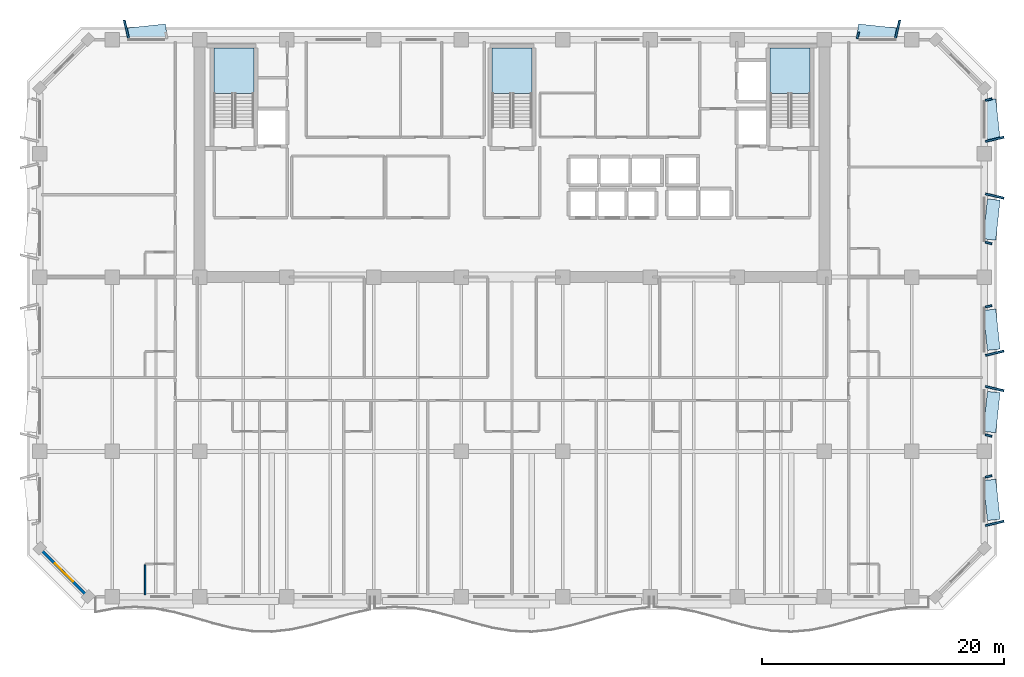
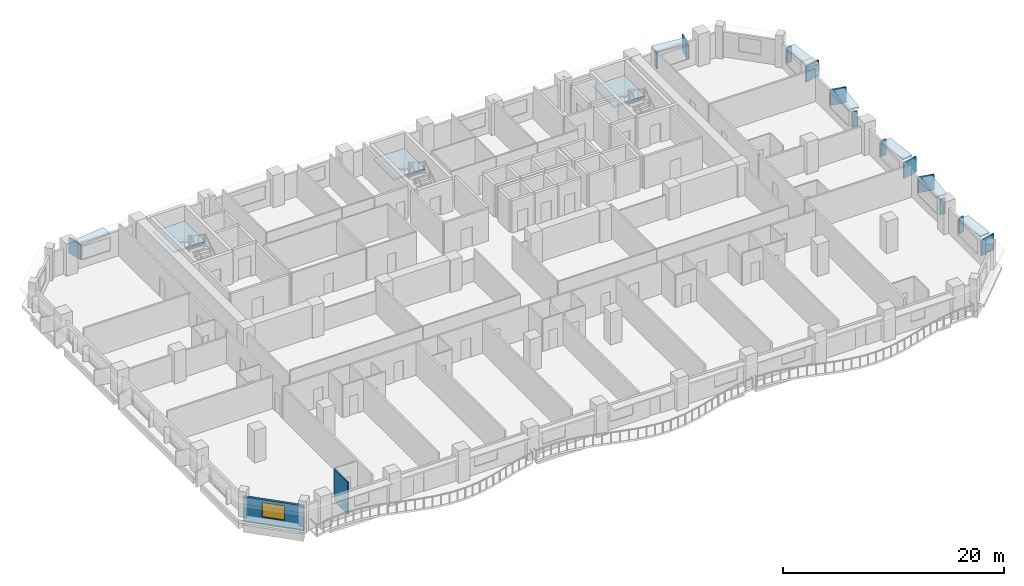
# One storey, part 3 of 14: 20 plates, 3 slabs, 2 walls, 1 window, 1 opening, 3 elements without a shape of their own.
"""IFC4 building model written with IfcOpenShell, lengths in metres."""

from ifc_helpers import new_model, si_unit, direction, frame, frame_2d, origin, origin_2d, place, context, subcontext, project, spatial, polyline, rectangle, outline, extrude, material, layer, layer_set, type_object, element, fill, aggregate, save


model = new_model("IFC4")

# Units and contexts
model_context = context("Model", 3, precision=1e-05, world=origin(), true_north=direction((0.0, 1.0)))
body_context = subcontext(model_context, "Body", "Model", "MODEL_VIEW")
ifc_project = project(units=[si_unit("LENGTHUNIT", "METRE"), si_unit("AREAUNIT", "SQUARE_METRE"), si_unit("VOLUMEUNIT", "CUBIC_METRE"), si_unit("PLANEANGLEUNIT", "RADIAN"), si_unit("MASSUNIT", "GRAM", prefix="KILO")], contexts=[model_context])

# Site, building, storey
site_placement = place(None, origin())
site = spatial("IfcSite", under=ifc_project, at=site_placement, CompositionType="ELEMENT")
building_placement = place(site_placement, origin())
building = spatial("IfcBuilding", under=site, at=building_placement, Name="Kaelvorn Grand Hotel", CompositionType="ELEMENT")
storey_placement = place(building_placement, frame((0.0, 0.0, 169.550048828125)))
storey = spatial("IfcBuildingStorey", under=building, at=storey_placement, Name="L41", CompositionType="ELEMENT", Elevation=169.550048828125)

# Plates
ifc_material_1 = material(Name="Precast concrete C45/55", Category="concrete")
ifc_layer_1 = layer(ifc_material_1, 0.159912109375)
ifc_layer_set_1 = layer_set([ifc_layer_1], Name="Precast concrete C45/55")
plate_type_1 = type_object("IfcPlateType", Name="PL-FRAME-DEEP-1550", PredefinedType="USERDEFINED", material=ifc_layer_set_1)
for number, where, z_axis, x_axis, name in (
    (1, (81.85498046875, 9.06005859375, 0.81494140625), (0.0, 0.0, 1.0), (-0.233445363856, 0.972369920398, 0.0), "L41 Tilted Precast Window Frame Fin L-E01"),
    (2, (81.85498046875, 20.18994140625, 0.81494140625), (0.0, 0.0, 1.0), (0.233445363856, 0.972369920398, 0.0), "L41 Tilted Precast Window Frame Fin R-E02"),
    (3, (81.85498046875, 23.110107421875, 0.81494140625), (0.0, 0.0, 1.0), (-0.233445363856, 0.972369920398, 0.0), "L41 Tilted Precast Window Frame Fin L-E03"),
    (4, (81.85498046875, 36.090087890625, 0.81494140625), (0.0, 0.0, 1.0), (0.233445363856, 0.972369920398, 0.0), "L41 Tilted Precast Window Frame Fin R-E04"),
    (5, (81.85498046875, 40.77490234375, 0.73974609375), (0.0, 0.0, 1.0), (-0.233445363856, 0.972369920398, 0.0), "L41 Tilted Precast Window Frame Fin L-E05"),
    (6, (10.159912109375, 49.85498046875, 0.73974609375), (0.0, 0.0, 1.0), (0.972369920398, 0.233445363856, 0.0), "L41 Tilted Precast Window Frame Fin L-N01"),
    (7, (73.840087890625, 49.85498046875, 0.73974609375), (0.0, 0.0, 1.0), (0.972369920398, -0.233445363856, 0.0), "L41 Tilted Precast Window Frame Fin R-N02"),
):
    element("IfcPlate", number, at=place(storey_placement, frame(where, z_axis=z_axis, x_axis=x_axis)), inside=storey, type_object=plate_type_1, Name=name, ObjectType="FLANGE_PLATE", PredefinedType="USERDEFINED", context=body_context, shape_type="SweptSolid", body=[
        extrude(rectangle(XDim=0.159912109375, YDim=1.550048828125, at=origin_2d()), origin(), (0.0, 0.0, 1.0), 1.719970703125),
    ])
ifc_layer_2 = layer(ifc_material_1, 0.159912109375)
ifc_layer_set_2 = layer_set([ifc_layer_2], Name="Precast concrete C45/55")
plate_type_2 = type_object("IfcPlateType", Name="PL-FRAME-HEAD-1050", PredefinedType="USERDEFINED", material=ifc_layer_set_2)
for number, where, z_axis, x_axis, name in (
    (8, (81.60498046875, 11.0, 2.5), (0.0, 0.0, 1.0), (-0.105830199459, 0.994384215926, 0.0), "L41 Precast Window Frame Head Hood H-E01"),
    (9, (81.60498046875, 18.25, 2.5), (0.0, 0.0, 1.0), (0.105830199459, 0.994384215926, 0.0), "L41 Precast Window Frame Head Hood H-E02"),
    (10, (81.60498046875, 25.050048828125, 2.5), (0.0, 0.0, 1.0), (-0.105830199459, 0.994384215926, 0.0), "L41 Precast Window Frame Head Hood H-E03"),
    (11, (81.60498046875, 34.14990234375, 2.5), (0.0, 0.0, 1.0), (0.105830199459, 0.994384215926, 0.0), "L41 Precast Window Frame Head Hood H-E04"),
    (12, (81.60498046875, 42.4150390625, 2.35009765625), (0.0, 0.0, 1.0), (-0.105830199459, 0.994384215926, 0.0), "L41 Precast Window Frame Head Hood H-E05"),
    (13, (11.800048828125, 49.60498046875, 2.35009765625), (0.0, 0.0, 1.0), (0.994384215926, 0.105830199459, 0.0), "L41 Precast Window Frame Head Hood H-N01"),
    (14, (72.199951171875, 49.60498046875, 2.35009765625), (0.0, 0.0, 1.0), (0.994384215926, -0.105830199459, 0.0), "L41 Precast Window Frame Head Hood H-N02"),
):
    element("IfcPlate", number, at=place(storey_placement, frame(where, z_axis=z_axis, x_axis=x_axis)), inside=storey, type_object=plate_type_2, Name=name, ObjectType="FLANGE_PLATE", PredefinedType="USERDEFINED", context=body_context, shape_type="SweptSolid", body=[
        extrude(rectangle(XDim=3.320068359375, YDim=1.050048828125, at=origin_2d()), origin(), (0.0, 0.0, 1.0), 0.159912109375),
    ])
ifc_layer_3 = layer(ifc_material_1, 0.159912109375)
ifc_layer_set_3 = layer_set([ifc_layer_3], Name="Precast concrete C45/55")
plate_type_3 = type_object("IfcPlateType", Name="PL-FRAME-SHAL-550", PredefinedType="USERDEFINED", material=ifc_layer_set_3)
for number, where, z_axis, x_axis, name in (
    (15, (81.35498046875, 12.93994140625, 0.81494140625), (0.0, 0.0, 1.0), (-0.233445363856, 0.972369920398, 0.0), "L41 Tilted Precast Window Frame Fin R-E01"),
    (16, (81.35498046875, 16.31005859375, 0.81494140625), (0.0, 0.0, 1.0), (0.233445363856, 0.972369920398, 0.0), "L41 Tilted Precast Window Frame Fin L-E02"),
    (17, (81.35498046875, 26.989990234375, 0.81494140625), (0.0, 0.0, 1.0), (-0.233445363856, 0.972369920398, 0.0), "L41 Tilted Precast Window Frame Fin R-E03"),
    (18, (81.35498046875, 32.2099609375, 0.81494140625), (0.0, 0.0, 1.0), (0.233445363856, 0.972369920398, 0.0), "L41 Tilted Precast Window Frame Fin L-E04"),
    (19, (81.35498046875, 44.054931640625, 0.73974609375), (0.0, 0.0, 1.0), (-0.233445363856, 0.972369920398, 0.0), "L41 Tilted Precast Window Frame Fin R-E05"),
    (20, (70.56005859375, 49.35498046875, 0.73974609375), (0.0, 0.0, 1.0), (0.972369920398, -0.233445363856, 0.0), "L41 Tilted Precast Window Frame Fin L-N02"),
):
    element("IfcPlate", number, at=place(storey_placement, frame(where, z_axis=z_axis, x_axis=x_axis)), inside=storey, type_object=plate_type_3, Name=name, ObjectType="FLANGE_PLATE", PredefinedType="USERDEFINED", context=body_context, shape_type="SweptSolid", body=[
        extrude(rectangle(XDim=0.159912109375, YDim=0.550048828125, at=origin_2d()), origin(), (0.0, 0.0, 1.0), 1.719970703125),
    ])

# Stair, slab
ifc_material_2 = material(Name="Concrete C40/50", Category="concrete")
stair_type = type_object("IfcStairType", Name="STR-DOG-1560-R08", PredefinedType="HALF_TURN_STAIR", material=ifc_material_2)
stair_1_placement = place(storey_placement, origin())
stair_1 = element("IfcStair", 21, at=stair_1_placement, inside=storey, type_object=stair_type, Name="L41 West Core Exit Stair ST1", PredefinedType="HALF_TURN_STAIR")
ifc_layer_4 = layer(ifc_material_2, 0.199951171875)
ifc_layer_set_4 = layer_set([ifc_layer_4], Name="Concrete C40/50")
slab_type = type_object("IfcSlabType", Name="SLB-LAND-200-C40", PredefinedType="LANDING", material=ifc_layer_set_4)
slab_1_placement = place(storey_placement, frame((0.0, 0.0, 1.699951171875)))
slab_1 = element("IfcSlab", 22, at=slab_1_placement, type_object=slab_type, Name="ST1 landing 1", PredefinedType="LANDING", context=body_context, shape_type="SweptSolid", body=[
    extrude(outline(polyline([(20.679931640625, 44.56005859375), (20.679931640625, 48.300048828125), (17.39990234375, 48.300048828125), (17.39990234375, 44.56005859375), (20.679931640625, 44.56005859375)])), origin(), (0.0, 0.0, 1.0), 0.199951171875),
])
aggregate(stair_1, [slab_1])

stair_2_placement = place(storey_placement, origin())
stair_2 = element("IfcStair", 23, at=stair_2_placement, inside=storey, type_object=stair_type, Name="L41 Central Core Exit Stair ST2", PredefinedType="HALF_TURN_STAIR")
slab_2_placement = place(storey_placement, frame((0.0, 0.0, 1.699951171875)))
slab_2 = element("IfcSlab", 24, at=slab_2_placement, type_object=slab_type, Name="ST2 landing 1", PredefinedType="LANDING", context=body_context, shape_type="SweptSolid", body=[
    extrude(outline(polyline([(43.639892578125, 44.56005859375), (43.639892578125, 48.300048828125), (40.360107421875, 48.300048828125), (40.360107421875, 44.56005859375), (43.639892578125, 44.56005859375)])), origin(), (0.0, 0.0, 1.0), 0.199951171875),
])
aggregate(stair_2, [slab_2])

stair_3_placement = place(storey_placement, origin())
stair_3 = element("IfcStair", 25, at=stair_3_placement, inside=storey, type_object=stair_type, Name="L41 East Core Exit Stair ST3", PredefinedType="HALF_TURN_STAIR")
slab_3_placement = place(storey_placement, frame((0.0, 0.0, 1.699951171875)))
slab_3 = element("IfcSlab", 26, at=slab_3_placement, type_object=slab_type, Name="ST3 landing 1", PredefinedType="LANDING", context=body_context, shape_type="SweptSolid", body=[
    extrude(outline(polyline([(66.60009765625, 44.56005859375), (66.60009765625, 48.300048828125), (63.320068359375, 48.300048828125), (63.320068359375, 44.56005859375), (66.60009765625, 44.56005859375)])), origin(), (0.0, 0.0, 1.0), 0.199951171875),
])
aggregate(stair_3, [slab_3])

# Wall, opening, window
ifc_layer_5 = layer(ifc_material_2, 0.239990234375)
ifc_layer_set_5 = layer_set([ifc_layer_5], Name="Concrete C40/50")
wall_type_1 = type_object("IfcWallType", Name="WL-EXT-240-C40", PredefinedType="SOLIDWALL", material=ifc_layer_set_5)
wall_1_placement = place(storey_placement, frame((3.0, 7.0, 0.0), z_axis=(0.0, 0.0, 1.0), x_axis=(0.707106781187, -0.707106781187, 0.0)))
wall_1 = element("IfcWall", 27, at=wall_1_placement, inside=storey, type_object=wall_type_1, Name="L41 Exterior Architectural Concrete Wall 08", PredefinedType="SOLIDWALL", context=body_context, shape_type="SweptSolid", body=[
    extrude(rectangle(XDim=5.65673828125, YDim=0.239990234375, at=frame_2d((2.828369140625, 0.0))), origin(), (0.0, 0.0, 1.0), 2.760009765625),
])
opening_placement = place(wall_1_placement, frame((1.7783203125, 0.0, 0.85009765625)))
opening = element("IfcOpeningElement", 28, at=opening_placement, cuts=wall_1, Name="Opening W7", PredefinedType="OPENING", context=body_context, shape_type="SweptSolid", body=[
    extrude(rectangle(XDim=2.10009765625, YDim=1.60009765625, at=frame_2d((1.050048828125, 0.800048828125))), frame((0.0, 0.1298828125, 0.0), z_axis=(0.0, -1.0, 0.0), x_axis=(1.0, 0.0, 0.0)), (0.0, 0.0, 1.0), 0.260009765625),
])
ifc_material_3 = material(Name="Laminated Low-E Glass", Category="glass")
window_type = type_object("IfcWindowType", Name="WIN-CHM-2100x1600", PartitioningType="SINGLE_PANEL", PredefinedType="WINDOW", material=ifc_material_3)
window_placement = place(opening_placement, origin())
window = element("IfcWindow", 29, at=window_placement, inside=storey, type_object=window_type, Name="L41 Chamfered 45-Degree Corner Window SW", OverallHeight=1.60009765625, OverallWidth=2.10009765625, PartitioningType="SINGLE_PANEL", PredefinedType="WINDOW", context=body_context, shape_type="SweptSolid", body=[
    extrude(rectangle(XDim=2.10009765625, YDim=1.60009765625, at=frame_2d((1.050048828125, 0.800048828125))), frame((0.0, 0.030029296875, 0.0), z_axis=(0.0, -1.0, 0.0), x_axis=(1.0, 0.0, 0.0)), (0.0, 0.0, 1.0), 0.06005859375),
])
fill(opening, window)

# Wall
ifc_material_4 = material(Name="Moisture-Resistant Tile & Stud Board")
ifc_layer_6 = layer(ifc_material_4, 0.125)
ifc_layer_set_6 = layer_set([ifc_layer_6], Name="Moisture-Resistant Tile & Stud Board")
wall_type_2 = type_object("IfcWallType", Name="WL-PART-125-WET", PredefinedType="PARTITIONING", material=ifc_layer_set_6)
wall_2_placement = place(storey_placement, frame((11.699951171875, 3.14990234375, 0.0), z_axis=(0.0, 0.0, 1.0), x_axis=(0.0, 1.0, 0.0)))
element("IfcWall", 30, at=wall_2_placement, inside=storey, type_object=wall_type_2, Name="L41 En-suite Bathroom L41-09 W Partition", PredefinedType="PARTITIONING", context=body_context, shape_type="SweptSolid", body=[
    extrude(rectangle(XDim=2.482666015625, YDim=0.125, at=frame_2d((1.2412109375, 0.0))), origin(), (0.0, 0.0, 1.0), 3.56005859375),
])

save(model, "model.ifc")
